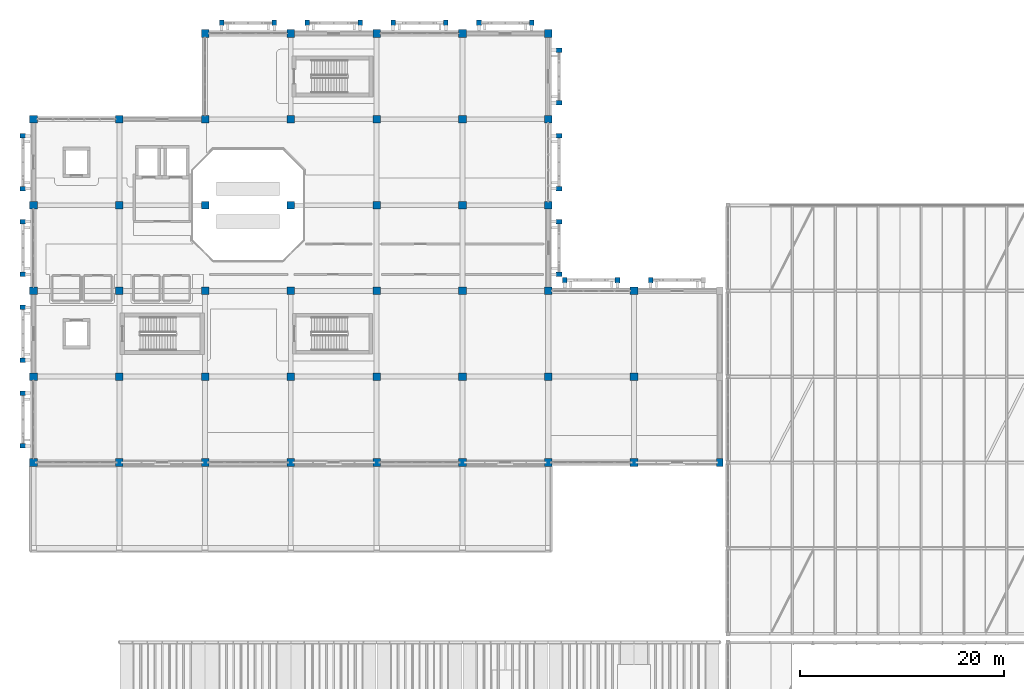
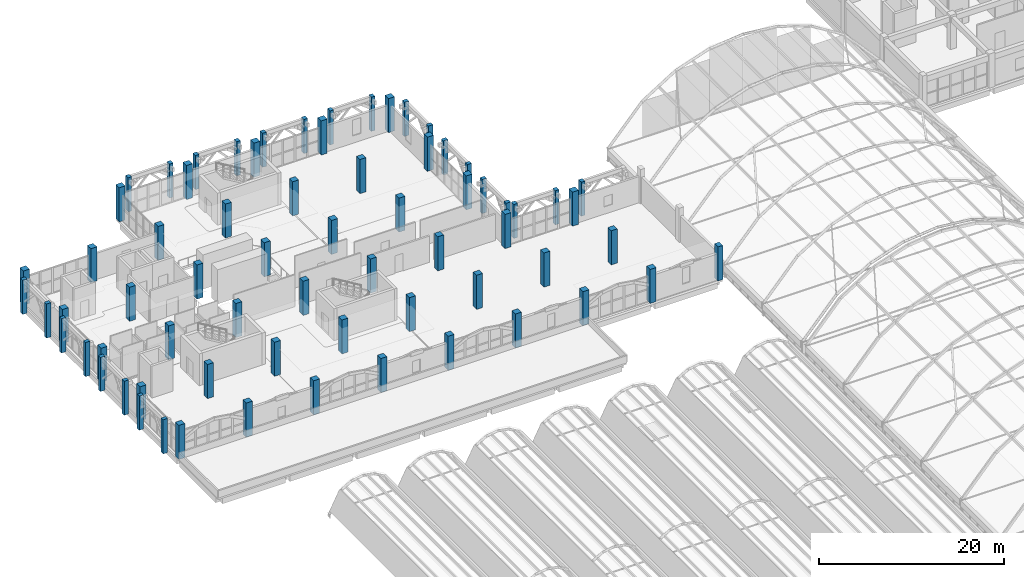
# One storey, part 5 of 114: 69 columns.
"""IFC4 building model written with IfcOpenShell, lengths in metres."""

from ifc_helpers import new_model, si_unit, direction, frame, origin, origin_2d, place, context, subcontext, project, spatial, rectangle, extrude, material, material_profile, profile_set, type_object, element, save


model = new_model("IFC4")

# Units and contexts
model_context = context("Model", 3, precision=1e-05, world=origin(), true_north=direction((0.0, 1.0)))
body_context = subcontext(model_context, "Body", "Model", "MODEL_VIEW")
ifc_project = project(units=[si_unit("LENGTHUNIT", "METRE"), si_unit("AREAUNIT", "SQUARE_METRE"), si_unit("VOLUMEUNIT", "CUBIC_METRE"), si_unit("PLANEANGLEUNIT", "RADIAN"), si_unit("MASSUNIT", "GRAM", prefix="KILO")], contexts=[model_context])

# Site, building, storey
site_placement = place(None, origin())
site = spatial("IfcSite", under=ifc_project, at=site_placement, CompositionType="ELEMENT")
building_placement = place(site_placement, origin())
building = spatial("IfcBuilding", under=site, at=building_placement, Name="Xazarin Passage Department Store", CompositionType="ELEMENT")
storey_placement = place(building_placement, frame((0.0, 0.0, 14.39990234375)))
storey = spatial("IfcBuildingStorey", under=building, at=storey_placement, Name="L03", CompositionType="ELEMENT", Elevation=14.39990234375)

# Columns
ifc_material = material(Name="Concrete C40/50", Category="concrete")
ifc_material_profile_1 = material_profile(ifc_material, rectangle(XDim=0.75, YDim=0.75, at=origin_2d()), Name="RC 750x750")
ifc_profile_set_1 = profile_set([ifc_material_profile_1], Name="Concrete C40/50")
column_type_1 = type_object("IfcColumnType", Name="STR-COL-RC750", PredefinedType="COLUMN", material=ifc_profile_set_1)
for number, where, z_axis, x_axis, name in (
    (1, (0.0, 68.0, 0.0), (0.0, 0.0, 1.0), (1.0, 0.0, 0.0), "L03 Column 1/K"),
    (2, (8.39990234375, 68.0, 0.0), (0.0, 0.0, 1.0), (1.0, 0.0, 0.0), "L03 Column 2/K"),
    (3, (16.800048828125, 68.0, 0.0), (0.0, 0.0, 1.0), (1.0, 0.0, 0.0), "L03 Column 3/K"),
    (4, (25.199951171875, 68.0, 0.0), (0.0, 0.0, 1.0), (1.0, 0.0, 0.0), "L03 Column 4/K"),
    (5, (33.60009765625, 68.0, 0.0), (0.0, 0.0, 1.0), (1.0, 0.0, 0.0), "L03 Column 5/K"),
    (6, (42.0, 68.0, 0.0), (0.0, 0.0, 1.0), (1.0, 0.0, 0.0), "L03 Column 6/K"),
    (7, (50.39990234375, 68.0, 0.0), (0.0, 0.0, 1.0), (1.0, 0.0, 0.0), "L03 Column 7/K"),
    (8, (58.800048828125, 68.0, 0.0), (0.0, 0.0, 1.0), (1.0, 0.0, 0.0), "L03 Column 8/K"),
    (9, (0.0, 76.39990234375, 0.0), (0.0, 0.0, 1.0), (1.0, 0.0, 0.0), "L03 Column 1/L"),
    (10, (8.39990234375, 76.39990234375, 0.0), (0.0, 0.0, 1.0), (1.0, 0.0, 0.0), "L03 Column 2/L"),
    (11, (16.800048828125, 76.39990234375, 0.0), (0.0, 0.0, 1.0), (1.0, 0.0, 0.0), "L03 Column 3/L"),
    (12, (25.199951171875, 76.39990234375, 0.0), (0.0, 0.0, 1.0), (1.0, 0.0, 0.0), "L03 Column 4/L"),
    (13, (33.60009765625, 76.39990234375, 0.0), (0.0, 0.0, 1.0), (1.0, 0.0, 0.0), "L03 Column 5/L"),
    (14, (42.0, 76.39990234375, 0.0), (0.0, 0.0, 1.0), (1.0, 0.0, 0.0), "L03 Column 6/L"),
    (15, (50.39990234375, 76.39990234375, 0.0), (0.0, 0.0, 1.0), (1.0, 0.0, 0.0), "L03 Column 7/L"),
    (16, (58.800048828125, 76.39990234375, 0.0), (0.0, 0.0, 1.0), (1.0, 0.0, 0.0), "L03 Column 8/L"),
    (17, (0.0, 84.800048828125, 0.0), (0.0, 0.0, 1.0), (1.0, 0.0, 0.0), "L03 Column 1/M"),
    (18, (8.39990234375, 84.800048828125, 0.0), (0.0, 0.0, 1.0), (1.0, 0.0, 0.0), "L03 Column 2/M"),
    (19, (16.800048828125, 84.800048828125, 0.0), (0.0, 0.0, 1.0), (1.0, 0.0, 0.0), "L03 Column 3/M"),
    (20, (25.199951171875, 84.800048828125, 0.0), (0.0, 0.0, 1.0), (1.0, 0.0, 0.0), "L03 Column 4/M"),
    (21, (33.60009765625, 84.800048828125, 0.0), (0.0, 0.0, 1.0), (1.0, 0.0, 0.0), "L03 Column 5/M"),
    (22, (42.0, 84.800048828125, 0.0), (0.0, 0.0, 1.0), (1.0, 0.0, 0.0), "L03 Column 6/M"),
    (23, (50.39990234375, 84.800048828125, 0.0), (0.0, 0.0, 1.0), (1.0, 0.0, 0.0), "L03 Column 7/M"),
    (24, (58.800048828125, 84.800048828125, 0.0), (0.0, 0.0, 1.0), (1.0, 0.0, 0.0), "L03 Column 8/M"),
    (25, (0.0, 93.199951171875, 0.0), (0.0, 0.0, 1.0), (1.0, 0.0, 0.0), "L03 Column 1/N"),
    (26, (8.39990234375, 93.199951171875, 0.0), (0.0, 0.0, 1.0), (1.0, 0.0, 0.0), "L03 Column 2/N"),
    (27, (16.800048828125, 93.199951171875, 0.0), (0.0, 0.0, 1.0), (1.0, 0.0, 0.0), "L03 Column 3/N"),
    (28, (25.199951171875, 93.199951171875, 0.0), (0.0, 0.0, 1.0), (1.0, 0.0, 0.0), "L03 Column 4/N"),
    (29, (33.60009765625, 93.199951171875, 0.0), (0.0, 0.0, 1.0), (1.0, 0.0, 0.0), "L03 Column 5/N"),
    (30, (42.0, 93.199951171875, 0.0), (0.0, 0.0, 1.0), (1.0, 0.0, 0.0), "L03 Column 6/N"),
    (31, (50.39990234375, 93.199951171875, 0.0), (0.0, 0.0, 1.0), (1.0, 0.0, 0.0), "L03 Column 7/N"),
    (32, (0.0, 101.60009765625, 0.0), (0.0, 0.0, 1.0), (1.0, 0.0, 0.0), "L03 Column 1/P"),
    (33, (8.39990234375, 101.60009765625, 0.0), (0.0, 0.0, 1.0), (1.0, 0.0, 0.0), "L03 Column 2/P"),
    (34, (16.800048828125, 101.60009765625, 0.0), (0.0, 0.0, 1.0), (1.0, 0.0, 0.0), "L03 Column 3/P"),
    (35, (25.199951171875, 101.60009765625, 0.0), (0.0, 0.0, 1.0), (1.0, 0.0, 0.0), "L03 Column 4/P"),
    (36, (33.60009765625, 101.60009765625, 0.0), (0.0, 0.0, 1.0), (1.0, 0.0, 0.0), "L03 Column 5/P"),
    (37, (42.0, 101.60009765625, 0.0), (0.0, 0.0, 1.0), (1.0, 0.0, 0.0), "L03 Column 6/P"),
    (38, (50.39990234375, 101.60009765625, 0.0), (0.0, 0.0, 1.0), (1.0, 0.0, 0.0), "L03 Column 7/P"),
    (39, (16.800048828125, 110.0, 0.0), (0.0, 0.0, 1.0), (1.0, 0.0, 0.0), "L03 Column 3/Q"),
    (40, (25.199951171875, 110.0, 0.0), (0.0, 0.0, 1.0), (1.0, 0.0, 0.0), "L03 Column 4/Q"),
    (41, (33.60009765625, 110.0, 0.0), (0.0, 0.0, 1.0), (1.0, 0.0, 0.0), "L03 Column 5/Q"),
    (42, (42.0, 110.0, 0.0), (0.0, 0.0, 1.0), (1.0, 0.0, 0.0), "L03 Column 6/Q"),
    (43, (50.39990234375, 110.0, 0.0), (0.0, 0.0, 1.0), (1.0, 0.0, 0.0), "L03 Column 7/Q"),
):
    element("IfcColumn", number, at=place(storey_placement, frame(where, z_axis=z_axis, x_axis=x_axis)), inside=storey, type_object=column_type_1, Name=name, PredefinedType="COLUMN", context=body_context, shape_type="SweptSolid", body=[
        extrude(rectangle(XDim=0.75, YDim=0.75, at=origin_2d()), origin(), (0.0, 0.0, 1.0), 4.5),
    ])
ifc_material_profile_2 = material_profile(ifc_material, rectangle(XDim=0.60009765625, YDim=0.75, at=origin_2d()), Name="RC 600x750")
ifc_profile_set_2 = profile_set([ifc_material_profile_2], Name="Concrete C40/50")
column_type_2 = type_object("IfcColumnType", Name="STR-COL-SJ750", PredefinedType="COLUMN", material=ifc_profile_set_2)
column_placement = place(storey_placement, frame((67.199951171875, 68.0, 0.0), z_axis=(0.0, 0.0, 1.0), x_axis=(1.0, 0.0, 0.0)))
element("IfcColumn", 44, at=column_placement, inside=storey, type_object=column_type_2, Name="L03 Column 9/K", PredefinedType="COLUMN", context=body_context, shape_type="SweptSolid", body=[
    extrude(rectangle(XDim=0.60009765625, YDim=0.75, at=origin_2d()), origin(), (0.0, 0.0, 1.0), 4.5),
])
ifc_material_profile_3 = material_profile(ifc_material, rectangle(XDim=0.449951171875, YDim=0.550048828125, at=origin_2d()), Name="RC 450x550")
ifc_profile_set_3 = profile_set([ifc_material_profile_3], Name="Concrete C40/50")
column_type_3 = type_object("IfcColumnType", Name="STR-PIL-RC450", PredefinedType="PILASTER", material=ifc_profile_set_3)
for number, where, z_axis, x_axis, name in (
    (45, (18.419921875, 111.050048828125, 0.0), (0.0, 0.0, 1.0), (1.0, 0.0, 0.0), "L03 V1 Pierced-Arch Colonnade Pier 001L"),
    (46, (23.580078125, 111.050048828125, 0.0), (0.0, 0.0, 1.0), (1.0, 0.0, 0.0), "L03 V1 Pierced-Arch Colonnade Pier 001R"),
    (47, (26.820068359375, 111.050048828125, 0.0), (0.0, 0.0, 1.0), (1.0, 0.0, 0.0), "L03 V1 Pierced-Arch Colonnade Pier 002L"),
    (48, (31.97998046875, 111.050048828125, 0.0), (0.0, 0.0, 1.0), (1.0, 0.0, 0.0), "L03 V1 Pierced-Arch Colonnade Pier 002R"),
    (49, (35.219970703125, 111.050048828125, 0.0), (0.0, 0.0, 1.0), (1.0, 0.0, 0.0), "L03 V1 Pierced-Arch Colonnade Pier 003L"),
    (50, (40.3798828125, 111.050048828125, 0.0), (0.0, 0.0, 1.0), (1.0, 0.0, 0.0), "L03 V1 Pierced-Arch Colonnade Pier 003R"),
    (51, (43.6201171875, 111.050048828125, 0.0), (0.0, 0.0, 1.0), (1.0, 0.0, 0.0), "L03 V1 Pierced-Arch Colonnade Pier 004L"),
    (52, (48.780029296875, 111.050048828125, 0.0), (0.0, 0.0, 1.0), (1.0, 0.0, 0.0), "L03 V1 Pierced-Arch Colonnade Pier 004R"),
    (53, (52.02001953125, 85.85009765625, 0.0), (0.0, 0.0, 1.0), (1.0, 0.0, 0.0), "L03 V1 Pierced-Arch Colonnade Pier 005L"),
    (54, (57.179931640625, 85.85009765625, 0.0), (0.0, 0.0, 1.0), (1.0, 0.0, 0.0), "L03 V1 Pierced-Arch Colonnade Pier 005R"),
    (55, (60.419921875, 85.85009765625, 0.0), (0.0, 0.0, 1.0), (1.0, 0.0, 0.0), "L03 V1 Pierced-Arch Colonnade Pier 007L"),
    (56, (-1.050048828125, 69.6201171875, 0.0), (0.0, 0.0, 1.0), (0.0, 1.0, 0.0), "L03 V1 Pierced-Arch Colonnade Pier 010L"),
    (57, (-1.050048828125, 74.780029296875, 0.0), (0.0, 0.0, 1.0), (0.0, 1.0, 0.0), "L03 V1 Pierced-Arch Colonnade Pier 010R"),
    (58, (-1.050048828125, 78.02001953125, 0.0), (0.0, 0.0, 1.0), (0.0, 1.0, 0.0), "L03 V1 Pierced-Arch Colonnade Pier 011L"),
    (59, (-1.050048828125, 83.179931640625, 0.0), (0.0, 0.0, 1.0), (0.0, 1.0, 0.0), "L03 V1 Pierced-Arch Colonnade Pier 011R"),
    (60, (-1.050048828125, 86.419921875, 0.0), (0.0, 0.0, 1.0), (0.0, 1.0, 0.0), "L03 V1 Pierced-Arch Colonnade Pier 012L"),
    (61, (-1.050048828125, 91.580078125, 0.0), (0.0, 0.0, 1.0), (0.0, 1.0, 0.0), "L03 V1 Pierced-Arch Colonnade Pier 012R"),
    (62, (-1.050048828125, 94.820068359375, 0.0), (0.0, 0.0, 1.0), (0.0, 1.0, 0.0), "L03 V1 Pierced-Arch Colonnade Pier 013L"),
    (63, (-1.050048828125, 99.97998046875, 0.0), (0.0, 0.0, 1.0), (0.0, 1.0, 0.0), "L03 V1 Pierced-Arch Colonnade Pier 013R"),
    (64, (51.449951171875, 86.419921875, 0.0), (0.0, 0.0, 1.0), (0.0, 1.0, 0.0), "L03 V1 Pierced-Arch Colonnade Pier 014L"),
    (65, (51.449951171875, 91.580078125, 0.0), (0.0, 0.0, 1.0), (0.0, 1.0, 0.0), "L03 V1 Pierced-Arch Colonnade Pier 014R"),
    (66, (51.449951171875, 94.820068359375, 0.0), (0.0, 0.0, 1.0), (0.0, 1.0, 0.0), "L03 V1 Pierced-Arch Colonnade Pier 015L"),
    (67, (51.449951171875, 99.97998046875, 0.0), (0.0, 0.0, 1.0), (0.0, 1.0, 0.0), "L03 V1 Pierced-Arch Colonnade Pier 015R"),
    (68, (51.449951171875, 103.219970703125, 0.0), (0.0, 0.0, 1.0), (0.0, 1.0, 0.0), "L03 V1 Pierced-Arch Colonnade Pier 016L"),
    (69, (51.449951171875, 108.3798828125, 0.0), (0.0, 0.0, 1.0), (0.0, 1.0, 0.0), "L03 V1 Pierced-Arch Colonnade Pier 016R"),
):
    element("IfcColumn", number, at=place(storey_placement, frame(where, z_axis=z_axis, x_axis=x_axis)), inside=storey, type_object=column_type_3, Name=name, PredefinedType="PILASTER", context=body_context, shape_type="SweptSolid", body=[
        extrude(rectangle(XDim=0.449951171875, YDim=0.550048828125, at=origin_2d()), origin(), (0.0, 0.0, 1.0), 4.5),
    ])

save(model, "model.ifc")
